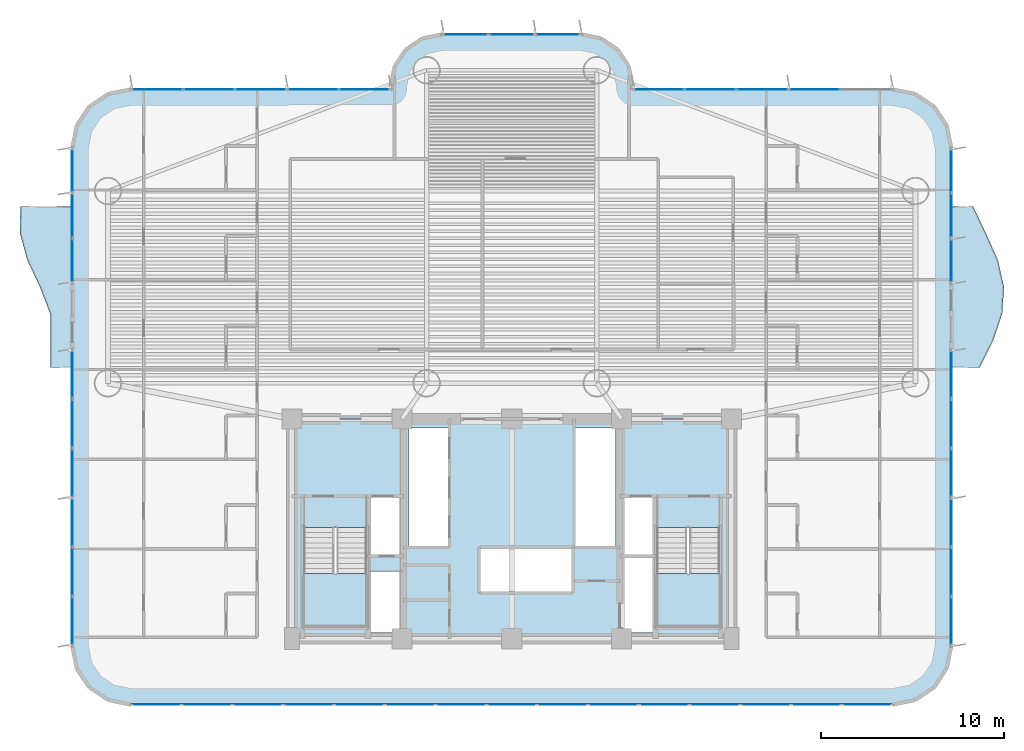
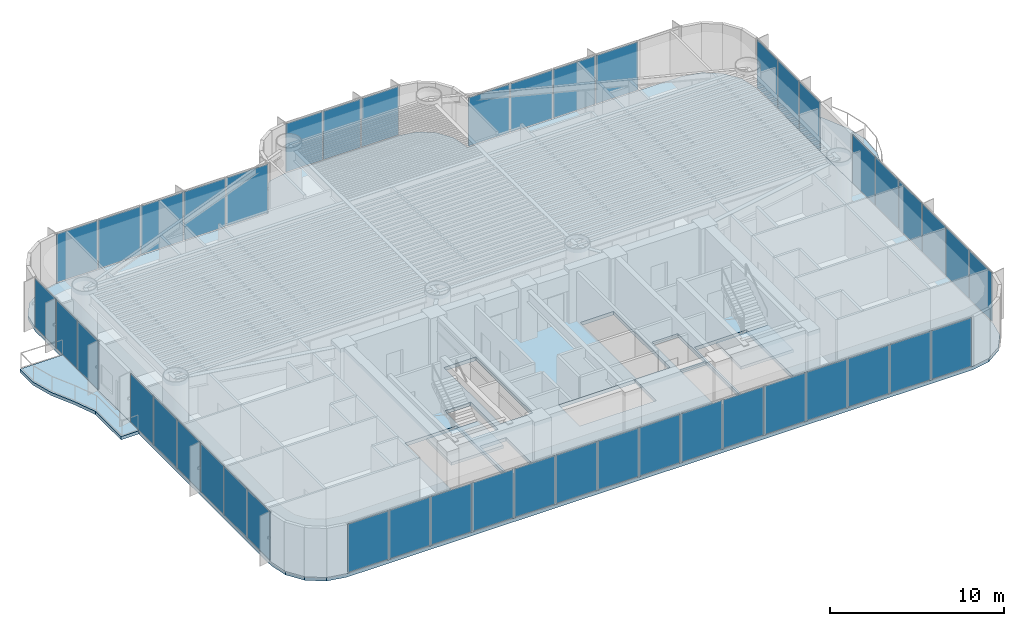
# One storey, part 9 of 19: 45 plates, 5 slabs, 10 elements without a shape of their own.
"""IFC4 building model written with IfcOpenShell, lengths in metres."""

from ifc_helpers import new_model, si_unit, direction, frame, origin, origin_2d, place, context, subcontext, project, spatial, polyline, rectangle, outline, extrude, source, transform, mapped, material, layer, layer_set, type_object, element, aggregate, save


model = new_model("IFC4")

# Units and contexts
model_context = context("Model", 3, precision=1e-05, world=origin(), true_north=direction((0.0, 1.0)))
body_context = subcontext(model_context, "Body", "Model", "MODEL_VIEW")
ifc_project = project(units=[si_unit("LENGTHUNIT", "METRE"), si_unit("AREAUNIT", "SQUARE_METRE"), si_unit("VOLUMEUNIT", "CUBIC_METRE"), si_unit("PLANEANGLEUNIT", "RADIAN"), si_unit("MASSUNIT", "GRAM", prefix="KILO")], contexts=[model_context])

# Site, building, storey
site_placement = place(None, origin())
site = spatial("IfcSite", under=ifc_project, at=site_placement, CompositionType="ELEMENT")
building_placement = place(site_placement, origin())
building = spatial("IfcBuilding", under=site, at=building_placement, Name="Brelvock Crest Care Tower", CompositionType="ELEMENT")
storey_placement = place(building_placement, frame((0.0, 0.0, 64.800048828125)))
storey = spatial("IfcBuildingStorey", under=building, at=storey_placement, Name="L16", CompositionType="ELEMENT", Elevation=64.800048828125)

# Slabs
ifc_material_1 = material(Name="Concrete N50 (50 MPa)", Category="concrete")
ifc_layer_1 = layer(ifc_material_1, 0.25, Name="SLB-FL3")
ifc_layer_set_1 = layer_set([ifc_layer_1], Name="Concrete N50 (50 MPa)")
slab_type_1 = type_object("IfcSlabType", Name="SLB-FL3", PredefinedType="FLOOR", material=ifc_layer_set_1)
slab_1_placement = place(storey_placement, frame((0.0, 0.0, -0.25)))
element("IfcSlab", 1, at=slab_1_placement, inside=storey, type_object=slab_type_1, Name="L16 Main Structural Slab", PredefinedType="FLOOR", context=body_context, shape_type="SweptSolid", body=[
    extrude(outline(polyline([(56.800048828125, 36.0), (42.60009765625, 36.0), (42.60009765625, 36.199951171875), (42.386962890625, 37.271484375), (41.77978515625, 38.179931640625), (40.87158203125, 38.786865234375), (39.800048828125, 39.0), (32.199951171875, 39.0), (31.12841796875, 38.786865234375), (30.22021484375, 38.179931640625), (29.613037109375, 37.271484375), (29.39990234375, 36.199951171875), (29.39990234375, 36.0), (15.199951171875, 36.0), (13.975341796875, 35.75634765625), (12.937255859375, 35.062744140625), (12.24365234375, 34.024658203125), (12.0, 32.800048828125), (12.0, 5.60009765625), (12.24365234375, 4.37548828125), (12.937255859375, 3.33740234375), (13.975341796875, 2.6435546875), (15.199951171875, 2.39990234375), (56.800048828125, 2.39990234375), (58.024658203125, 2.6435546875), (59.062744140625, 3.33740234375), (59.75634765625, 4.37548828125), (60.0, 5.60009765625), (60.0, 32.800048828125), (59.75634765625, 34.024658203125), (59.062744140625, 35.062744140625), (58.024658203125, 35.75634765625), (56.800048828125, 36.0)]), holes=[polyline([(28.239990234375, 10.580078125), (29.97998046875, 10.580078125), (29.97998046875, 13.739990234375), (28.239990234375, 13.739990234375), (28.239990234375, 10.580078125)]), polyline([(42.02001953125, 10.580078125), (43.760009765625, 10.580078125), (43.760009765625, 13.739990234375), (42.02001953125, 13.739990234375), (42.02001953125, 10.580078125)]), polyline([(28.239990234375, 6.340087890625), (29.97998046875, 6.340087890625), (29.97998046875, 9.64990234375), (28.239990234375, 9.64990234375), (28.239990234375, 6.340087890625)]), polyline([(24.6298828125, 12.080078125), (24.6298828125, 6.699951171875), (28.110107421875, 6.699951171875), (28.110107421875, 12.080078125), (24.6298828125, 12.080078125)]), polyline([(43.889892578125, 12.080078125), (43.889892578125, 6.699951171875), (47.3701171875, 6.699951171875), (47.3701171875, 12.080078125), (43.889892578125, 12.080078125)]), polyline([(42.02001953125, 6.340087890625), (43.760009765625, 6.340087890625), (43.760009765625, 10.5), (42.02001953125, 10.5), (42.02001953125, 6.340087890625)]), polyline([(30.3798828125, 11.030029296875), (32.52001953125, 11.030029296875), (32.52001953125, 17.52001953125), (30.3798828125, 17.52001953125), (30.3798828125, 11.030029296875)]), polyline([(34.22998046875, 8.530029296875), (39.320068359375, 8.530029296875), (39.320068359375, 10.969970703125), (34.22998046875, 10.969970703125), (34.22998046875, 8.530029296875)]), polyline([(39.429931640625, 11.030029296875), (41.669921875, 11.030029296875), (41.669921875, 17.52001953125), (39.429931640625, 17.52001953125), (39.429931640625, 11.030029296875)])]), origin(), (0.0, 0.0, 1.0), 0.25),
])
ifc_layer_2 = layer(ifc_material_1, 0.219970703125, Name="SLB-WB1")
ifc_layer_set_2 = layer_set([ifc_layer_2], Name="Concrete N50 (50 MPa)")
slab_type_2 = type_object("IfcSlabType", Name="SLB-WB1", PredefinedType="FLOOR", material=ifc_layer_set_2)
slab_2_placement = place(storey_placement, frame((0.0, 0.0, -0.219970703125)))
element("IfcSlab", 2, at=slab_2_placement, inside=storey, type_object=slab_type_2, Name="L16 W Sinusoidal Wave Balcony Slab", PredefinedType="FLOOR", context=body_context, shape_type="SweptSolid", body=[
    extrude(outline(polyline([(12.0, 29.60009765625), (9.166015625, 29.60009765625), (9.14599609375, 28.13330078125), (9.546630859375, 26.666748046875), (10.23876953125, 25.199951171875), (10.800048828125, 23.7333984375), (10.800048828125, 22.2666015625), (10.800048828125, 20.800048828125), (12.0, 20.800048828125), (12.0, 29.60009765625)])), origin(), (0.0, 0.0, 1.0), 0.219970703125),
])
slab_3_placement = place(storey_placement, frame((0.0, 0.0, -0.219970703125)))
element("IfcSlab", 3, at=slab_3_placement, inside=storey, type_object=slab_type_2, Name="L16 E Sinusoidal Wave Balcony Slab", PredefinedType="FLOOR", context=body_context, shape_type="SweptSolid", body=[
    extrude(outline(polyline([(60.0, 20.800048828125), (61.550048828125, 20.800048828125), (62.285400390625, 22.2666015625), (62.783203125, 23.7333984375), (62.88330078125, 25.199951171875), (62.55322265625, 26.666748046875), (61.8994140625, 28.13330078125), (61.199951171875, 29.60009765625), (60.0, 29.60009765625), (60.0, 20.800048828125)])), origin(), (0.0, 0.0, 1.0), 0.219970703125),
])

# Stair, slab
ifc_material_2 = material(Name="Concrete N40 (40 MPa)", Category="concrete")
stair_type = type_object("IfcStairType", Name="ST-CORE1", PredefinedType="HALF_TURN_STAIR", material=ifc_material_2)
stair_1_placement = place(storey_placement, origin())
stair_1 = element("IfcStair", 4, at=stair_1_placement, inside=storey, type_object=stair_type, Name="L16 Fire-Isolated Core Stair ST-1", PredefinedType="HALF_TURN_STAIR")
ifc_layer_3 = layer(ifc_material_2, 0.199951171875, Name="STL-1")
ifc_layer_set_3 = layer_set([ifc_layer_3], Name="Concrete N40 (40 MPa)")
slab_type_3 = type_object("IfcSlabType", Name="STL-1", PredefinedType="LANDING", material=ifc_layer_set_3)
slab_4_placement = place(storey_placement, frame((0.0, 0.0, 1.68994140625)))
slab_4 = element("IfcSlab", 5, at=slab_4_placement, type_object=slab_type_3, Name="ST-1 landing 1", PredefinedType="LANDING", context=body_context, shape_type="SweptSolid", body=[
    extrude(outline(polyline([(24.6298828125, 9.56005859375), (24.6298828125, 6.699951171875), (28.110107421875, 6.699951171875), (28.110107421875, 9.56005859375), (24.6298828125, 9.56005859375)])), origin(), (0.0, 0.0, 1.0), 0.199951171875),
])
aggregate(stair_1, [slab_4])

stair_2_placement = place(storey_placement, origin())
stair_2 = element("IfcStair", 6, at=stair_2_placement, inside=storey, type_object=stair_type, Name="L16 Fire-Isolated Core Stair ST-2", PredefinedType="HALF_TURN_STAIR")
slab_5_placement = place(storey_placement, frame((0.0, 0.0, 1.68994140625)))
slab_5 = element("IfcSlab", 7, at=slab_5_placement, type_object=slab_type_3, Name="ST-2 landing 1", PredefinedType="LANDING", context=body_context, shape_type="SweptSolid", body=[
    extrude(outline(polyline([(43.889892578125, 9.56005859375), (43.889892578125, 6.699951171875), (47.3701171875, 6.699951171875), (47.3701171875, 9.56005859375), (43.889892578125, 9.56005859375)])), origin(), (0.0, 0.0, 1.0), 0.199951171875),
])
aggregate(stair_2, [slab_5])

# Curtain wall, plates
ifc_material_3 = material(Name="Dark Glass Double Glazed Low-E", Category="glass")
ifc_layer_4 = layer(ifc_material_3, 0.195068359375, Name="CWS-2")
ifc_layer_set_4 = layer_set([ifc_layer_4], Name="Dark Glass Double Glazed Low-E")
curtain_wall_type = type_object("IfcCurtainWallType", Name="CWS-2", PredefinedType="NOTDEFINED", material=ifc_layer_set_4)
curtain_wall_1_placement = place(storey_placement, origin())
curtain_wall_1 = element("IfcCurtainWall", 8, at=curtain_wall_1_placement, inside=storey, type_object=curtain_wall_type, Name="L16 Curtain Wall E08", PredefinedType="NOTDEFINED")
ifc_layer_5 = layer(ifc_material_3, 0.031982421875, Name="CWP-V1")
ifc_layer_set_5 = layer_set([ifc_layer_5], Name="Dark Glass Double Glazed Low-E")
plate_type = type_object("IfcPlateType", Name="CWP-V1", PredefinedType="CURTAIN_PANEL", material=ifc_layer_set_5)
shared_shape_1 = source(origin(), body_context, "Body", "SweptSolid", [
    extrude(rectangle(XDim=2.67578125, YDim=0.035888671875, at=origin_2d()), origin(), (0.0, 0.0, 1.0), 3.39990234375),
])
plate_1_placement = place(storey_placement, frame((55.39697265625, 2.39990234375, 0.06494140625), z_axis=(0.0, 0.0, 1.0), x_axis=(-1.0, 0.0, 0.0)))
plate_1 = element("IfcPlate", 9, at=plate_1_placement, type_object=plate_type, Name="CW-2 panel 1.1", PredefinedType="CURTAIN_PANEL", context=body_context, shape_type="MappedRepresentation", body=[
    mapped(shared_shape_1, transform((0.0, 0.0, 0.0), x_axis=(1.0, 0.0, 0.0), y_axis=(0.0, 1.0, 0.0), z_axis=(0.0, 0.0, 1.0), scale=1.0)),
])
plate_2_placement = place(storey_placement, frame((16.60302734375, 2.39990234375, 0.06494140625), z_axis=(0.0, 0.0, 1.0), x_axis=(-1.0, 0.0, 0.0)))
plate_2 = element("IfcPlate", 10, at=plate_2_placement, type_object=plate_type, Name="CW-2 panel 15.1", PredefinedType="CURTAIN_PANEL", context=body_context, shape_type="MappedRepresentation", body=[
    mapped(shared_shape_1, transform((0.0, 0.0, 0.0), x_axis=(1.0, 0.0, 0.0), y_axis=(0.0, 1.0, 0.0), z_axis=(0.0, 0.0, 1.0), scale=1.0)),
])
shared_shape_2 = source(origin(), body_context, "Body", "SweptSolid", [
    extrude(rectangle(XDim=2.708251953125, YDim=0.035888671875, at=origin_2d()), origin(), (0.0, 0.0, 1.0), 3.39990234375),
])
plate_3_placement = place(storey_placement, frame((52.639892578125, 2.39990234375, 0.06494140625), z_axis=(0.0, 0.0, 1.0), x_axis=(-1.0, 0.0, 0.0)))
plate_3 = element("IfcPlate", 11, at=plate_3_placement, type_object=plate_type, Name="CW-2 panel 2.1", PredefinedType="CURTAIN_PANEL", context=body_context, shape_type="MappedRepresentation", body=[
    mapped(shared_shape_2, transform((0.0, 0.0, 0.0), x_axis=(1.0, 0.0, 0.0), y_axis=(0.0, 1.0, 0.0), z_axis=(0.0, 0.0, 1.0), scale=1.0)),
])
plate_4_placement = place(storey_placement, frame((49.86669921875, 2.39990234375, 0.06494140625), z_axis=(0.0, 0.0, 1.0), x_axis=(-1.0, 0.0, 0.0)))
plate_4 = element("IfcPlate", 12, at=plate_4_placement, type_object=plate_type, Name="CW-2 panel 3.1", PredefinedType="CURTAIN_PANEL", context=body_context, shape_type="MappedRepresentation", body=[
    mapped(shared_shape_2, transform((0.0, 0.0, 0.0), x_axis=(1.0, 0.0, 0.0), y_axis=(0.0, 1.0, 0.0), z_axis=(0.0, 0.0, 1.0), scale=1.0)),
])
plate_5_placement = place(storey_placement, frame((47.09326171875, 2.39990234375, 0.06494140625), z_axis=(0.0, 0.0, 1.0), x_axis=(-1.0, 0.0, 0.0)))
plate_5 = element("IfcPlate", 13, at=plate_5_placement, type_object=plate_type, Name="CW-2 panel 4.1", PredefinedType="CURTAIN_PANEL", context=body_context, shape_type="MappedRepresentation", body=[
    mapped(shared_shape_2, transform((0.0, 0.0, 0.0), x_axis=(1.0, 0.0, 0.0), y_axis=(0.0, 1.0, 0.0), z_axis=(0.0, 0.0, 1.0), scale=1.0)),
])
plate_6_placement = place(storey_placement, frame((44.320068359375, 2.39990234375, 0.06494140625), z_axis=(0.0, 0.0, 1.0), x_axis=(-1.0, 0.0, 0.0)))
plate_6 = element("IfcPlate", 14, at=plate_6_placement, type_object=plate_type, Name="CW-2 panel 5.1", PredefinedType="CURTAIN_PANEL", context=body_context, shape_type="MappedRepresentation", body=[
    mapped(shared_shape_2, transform((0.0, 0.0, 0.0), x_axis=(1.0, 0.0, 0.0), y_axis=(0.0, 1.0, 0.0), z_axis=(0.0, 0.0, 1.0), scale=1.0)),
])
plate_7_placement = place(storey_placement, frame((41.546630859375, 2.39990234375, 0.06494140625), z_axis=(0.0, 0.0, 1.0), x_axis=(-1.0, 0.0, 0.0)))
plate_7 = element("IfcPlate", 15, at=plate_7_placement, type_object=plate_type, Name="CW-2 panel 6.1", PredefinedType="CURTAIN_PANEL", context=body_context, shape_type="MappedRepresentation", body=[
    mapped(shared_shape_2, transform((0.0, 0.0, 0.0), x_axis=(1.0, 0.0, 0.0), y_axis=(0.0, 1.0, 0.0), z_axis=(0.0, 0.0, 1.0), scale=1.0)),
])
plate_8_placement = place(storey_placement, frame((38.7734375, 2.39990234375, 0.06494140625), z_axis=(0.0, 0.0, 1.0), x_axis=(-1.0, 0.0, 0.0)))
plate_8 = element("IfcPlate", 16, at=plate_8_placement, type_object=plate_type, Name="CW-2 panel 7.1", PredefinedType="CURTAIN_PANEL", context=body_context, shape_type="MappedRepresentation", body=[
    mapped(shared_shape_2, transform((0.0, 0.0, 0.0), x_axis=(1.0, 0.0, 0.0), y_axis=(0.0, 1.0, 0.0), z_axis=(0.0, 0.0, 1.0), scale=1.0)),
])
plate_9_placement = place(storey_placement, frame((36.0, 2.39990234375, 0.06494140625), z_axis=(0.0, 0.0, 1.0), x_axis=(-1.0, 0.0, 0.0)))
plate_9 = element("IfcPlate", 17, at=plate_9_placement, type_object=plate_type, Name="CW-2 panel 8.1", PredefinedType="CURTAIN_PANEL", context=body_context, shape_type="MappedRepresentation", body=[
    mapped(shared_shape_2, transform((0.0, 0.0, 0.0), x_axis=(1.0, 0.0, 0.0), y_axis=(0.0, 1.0, 0.0), z_axis=(0.0, 0.0, 1.0), scale=1.0)),
])
plate_10_placement = place(storey_placement, frame((33.2265625, 2.39990234375, 0.06494140625), z_axis=(0.0, 0.0, 1.0), x_axis=(-1.0, 0.0, 0.0)))
plate_10 = element("IfcPlate", 18, at=plate_10_placement, type_object=plate_type, Name="CW-2 panel 9.1", PredefinedType="CURTAIN_PANEL", context=body_context, shape_type="MappedRepresentation", body=[
    mapped(shared_shape_2, transform((0.0, 0.0, 0.0), x_axis=(1.0, 0.0, 0.0), y_axis=(0.0, 1.0, 0.0), z_axis=(0.0, 0.0, 1.0), scale=1.0)),
])
plate_11_placement = place(storey_placement, frame((30.453369140625, 2.39990234375, 0.06494140625), z_axis=(0.0, 0.0, 1.0), x_axis=(-1.0, 0.0, 0.0)))
plate_11 = element("IfcPlate", 19, at=plate_11_placement, type_object=plate_type, Name="CW-2 panel 10.1", PredefinedType="CURTAIN_PANEL", context=body_context, shape_type="MappedRepresentation", body=[
    mapped(shared_shape_2, transform((0.0, 0.0, 0.0), x_axis=(1.0, 0.0, 0.0), y_axis=(0.0, 1.0, 0.0), z_axis=(0.0, 0.0, 1.0), scale=1.0)),
])
plate_12_placement = place(storey_placement, frame((27.679931640625, 2.39990234375, 0.06494140625), z_axis=(0.0, 0.0, 1.0), x_axis=(-1.0, 0.0, 0.0)))
plate_12 = element("IfcPlate", 20, at=plate_12_placement, type_object=plate_type, Name="CW-2 panel 11.1", PredefinedType="CURTAIN_PANEL", context=body_context, shape_type="MappedRepresentation", body=[
    mapped(shared_shape_2, transform((0.0, 0.0, 0.0), x_axis=(1.0, 0.0, 0.0), y_axis=(0.0, 1.0, 0.0), z_axis=(0.0, 0.0, 1.0), scale=1.0)),
])
plate_13_placement = place(storey_placement, frame((24.90673828125, 2.39990234375, 0.06494140625), z_axis=(0.0, 0.0, 1.0), x_axis=(-1.0, 0.0, 0.0)))
plate_13 = element("IfcPlate", 21, at=plate_13_placement, type_object=plate_type, Name="CW-2 panel 12.1", PredefinedType="CURTAIN_PANEL", context=body_context, shape_type="MappedRepresentation", body=[
    mapped(shared_shape_2, transform((0.0, 0.0, 0.0), x_axis=(1.0, 0.0, 0.0), y_axis=(0.0, 1.0, 0.0), z_axis=(0.0, 0.0, 1.0), scale=1.0)),
])
plate_14_placement = place(storey_placement, frame((22.13330078125, 2.39990234375, 0.06494140625), z_axis=(0.0, 0.0, 1.0), x_axis=(-1.0, 0.0, 0.0)))
plate_14 = element("IfcPlate", 22, at=plate_14_placement, type_object=plate_type, Name="CW-2 panel 13.1", PredefinedType="CURTAIN_PANEL", context=body_context, shape_type="MappedRepresentation", body=[
    mapped(shared_shape_2, transform((0.0, 0.0, 0.0), x_axis=(1.0, 0.0, 0.0), y_axis=(0.0, 1.0, 0.0), z_axis=(0.0, 0.0, 1.0), scale=1.0)),
])
plate_15_placement = place(storey_placement, frame((19.360107421875, 2.39990234375, 0.06494140625), z_axis=(0.0, 0.0, 1.0), x_axis=(-1.0, 0.0, 0.0)))
plate_15 = element("IfcPlate", 23, at=plate_15_placement, type_object=plate_type, Name="CW-2 panel 14.1", PredefinedType="CURTAIN_PANEL", context=body_context, shape_type="MappedRepresentation", body=[
    mapped(shared_shape_2, transform((0.0, 0.0, 0.0), x_axis=(1.0, 0.0, 0.0), y_axis=(0.0, 1.0, 0.0), z_axis=(0.0, 0.0, 1.0), scale=1.0)),
])
aggregate(curtain_wall_1, [plate_1, plate_3, plate_4, plate_5, plate_6, plate_7, plate_8, plate_9, plate_10, plate_11, plate_12, plate_13, plate_14, plate_15, plate_2])

curtain_wall_2_placement = place(storey_placement, origin())
curtain_wall_2 = element("IfcCurtainWall", 24, at=curtain_wall_2_placement, inside=storey, type_object=curtain_wall_type, Name="L16 Curtain Wall E18", PredefinedType="NOTDEFINED")
shared_shape_3 = source(origin(), body_context, "Body", "SweptSolid", [
    extrude(rectangle(XDim=2.742431640625, YDim=0.035888671875, at=origin_2d()), origin(), (0.0, 0.0, 1.0), 3.39990234375),
])
plate_16_placement = place(storey_placement, frame((16.63623046875, 36.0, 0.06494140625), z_axis=(0.0, 0.0, 1.0), x_axis=(1.0, 0.0, 0.0)))
plate_16 = element("IfcPlate", 25, at=plate_16_placement, type_object=plate_type, Name="CW-2 panel 1.1", PredefinedType="CURTAIN_PANEL", context=body_context, shape_type="MappedRepresentation", body=[
    mapped(shared_shape_3, transform((0.0, 0.0, 0.0), x_axis=(1.0, 0.0, 0.0), y_axis=(0.0, 1.0, 0.0), z_axis=(0.0, 0.0, 1.0), scale=1.0)),
])
plate_17_placement = place(storey_placement, frame((27.9638671875, 36.0, 0.06494140625), z_axis=(0.0, 0.0, 1.0), x_axis=(1.0, 0.0, 0.0)))
plate_17 = element("IfcPlate", 26, at=plate_17_placement, type_object=plate_type, Name="CW-2 panel 5.1", PredefinedType="CURTAIN_PANEL", context=body_context, shape_type="MappedRepresentation", body=[
    mapped(shared_shape_3, transform((0.0, 0.0, 0.0), x_axis=(1.0, 0.0, 0.0), y_axis=(0.0, 1.0, 0.0), z_axis=(0.0, 0.0, 1.0), scale=1.0)),
])

# Curtain wall, plate
curtain_wall_3_placement = place(storey_placement, origin())
curtain_wall_3 = element("IfcCurtainWall", 27, at=curtain_wall_3_placement, inside=storey, type_object=curtain_wall_type, Name="L16 Curtain Wall E30", PredefinedType="NOTDEFINED")
plate_18_placement = place(storey_placement, frame((44.0361328125, 36.0, 0.06494140625), z_axis=(0.0, 0.0, 1.0), x_axis=(1.0, 0.0, 0.0)))
plate_18 = element("IfcPlate", 28, at=plate_18_placement, type_object=plate_type, Name="CW-2 panel 1.1", PredefinedType="CURTAIN_PANEL", context=body_context, shape_type="MappedRepresentation", body=[
    mapped(shared_shape_3, transform((0.0, 0.0, 0.0), x_axis=(1.0, 0.0, 0.0), y_axis=(0.0, 1.0, 0.0), z_axis=(0.0, 0.0, 1.0), scale=1.0)),
])

# Plate
shared_shape_4 = source(origin(), body_context, "Body", "SweptSolid", [
    extrude(rectangle(XDim=2.77490234375, YDim=0.035888671875, at=origin_2d()), origin(), (0.0, 0.0, 1.0), 3.39990234375),
])
plate_19_placement = place(storey_placement, frame((19.4599609375, 36.0, 0.06494140625), z_axis=(0.0, 0.0, 1.0), x_axis=(1.0, 0.0, 0.0)))
plate_19 = element("IfcPlate", 29, at=plate_19_placement, type_object=plate_type, Name="CW-2 panel 2.1", PredefinedType="CURTAIN_PANEL", context=body_context, shape_type="MappedRepresentation", body=[
    mapped(shared_shape_4, transform((0.0, 0.0, 0.0), x_axis=(1.0, 0.0, 0.0), y_axis=(0.0, 1.0, 0.0), z_axis=(0.0, 0.0, 1.0), scale=1.0)),
])

plate_20_placement = place(storey_placement, frame((22.300048828125, 36.0, 0.06494140625), z_axis=(0.0, 0.0, 1.0), x_axis=(1.0, 0.0, 0.0)))
plate_20 = element("IfcPlate", 30, at=plate_20_placement, type_object=plate_type, Name="CW-2 panel 3.1", PredefinedType="CURTAIN_PANEL", context=body_context, shape_type="MappedRepresentation", body=[
    mapped(shared_shape_4, transform((0.0, 0.0, 0.0), x_axis=(1.0, 0.0, 0.0), y_axis=(0.0, 1.0, 0.0), z_axis=(0.0, 0.0, 1.0), scale=1.0)),
])

plate_21_placement = place(storey_placement, frame((25.139892578125, 36.0, 0.06494140625), z_axis=(0.0, 0.0, 1.0), x_axis=(1.0, 0.0, 0.0)))
plate_21 = element("IfcPlate", 31, at=plate_21_placement, type_object=plate_type, Name="CW-2 panel 4.1", PredefinedType="CURTAIN_PANEL", context=body_context, shape_type="MappedRepresentation", body=[
    mapped(shared_shape_4, transform((0.0, 0.0, 0.0), x_axis=(1.0, 0.0, 0.0), y_axis=(0.0, 1.0, 0.0), z_axis=(0.0, 0.0, 1.0), scale=1.0)),
])

aggregate(curtain_wall_2, [plate_16, plate_19, plate_20, plate_21, plate_17])

plate_22_placement = place(storey_placement, frame((46.860107421875, 36.0, 0.06494140625), z_axis=(0.0, 0.0, 1.0), x_axis=(1.0, 0.0, 0.0)))
plate_22 = element("IfcPlate", 32, at=plate_22_placement, type_object=plate_type, Name="CW-2 panel 2.1", PredefinedType="CURTAIN_PANEL", context=body_context, shape_type="MappedRepresentation", body=[
    mapped(shared_shape_4, transform((0.0, 0.0, 0.0), x_axis=(1.0, 0.0, 0.0), y_axis=(0.0, 1.0, 0.0), z_axis=(0.0, 0.0, 1.0), scale=1.0)),
])

plate_23_placement = place(storey_placement, frame((49.699951171875, 36.0, 0.06494140625), z_axis=(0.0, 0.0, 1.0), x_axis=(1.0, 0.0, 0.0)))
plate_23 = element("IfcPlate", 33, at=plate_23_placement, type_object=plate_type, Name="CW-2 panel 3.1", PredefinedType="CURTAIN_PANEL", context=body_context, shape_type="MappedRepresentation", body=[
    mapped(shared_shape_4, transform((0.0, 0.0, 0.0), x_axis=(1.0, 0.0, 0.0), y_axis=(0.0, 1.0, 0.0), z_axis=(0.0, 0.0, 1.0), scale=1.0)),
])

plate_24_placement = place(storey_placement, frame((52.5400390625, 36.0, 0.06494140625), z_axis=(0.0, 0.0, 1.0), x_axis=(1.0, 0.0, 0.0)))
plate_24 = element("IfcPlate", 34, at=plate_24_placement, type_object=plate_type, Name="CW-2 panel 4.1", PredefinedType="CURTAIN_PANEL", context=body_context, shape_type="MappedRepresentation", body=[
    mapped(shared_shape_4, transform((0.0, 0.0, 0.0), x_axis=(1.0, 0.0, 0.0), y_axis=(0.0, 1.0, 0.0), z_axis=(0.0, 0.0, 1.0), scale=1.0)),
])

aggregate(curtain_wall_3, [plate_18, plate_22, plate_23, plate_24])

# Curtain wall, plates
curtain_wall_4_placement = place(storey_placement, origin())
curtain_wall_4 = element("IfcCurtainWall", 35, at=curtain_wall_4_placement, inside=storey, type_object=curtain_wall_type, Name="L16 Curtain Wall E24", PredefinedType="NOTDEFINED")
shared_shape_5 = source(origin(), body_context, "Body", "SweptSolid", [
    extrude(rectangle(XDim=2.435791015625, YDim=0.035888671875, at=origin_2d()), origin(), (0.0, 0.0, 1.0), 3.39990234375),
])
plate_25_placement = place(storey_placement, frame((33.48291015625, 39.0, 0.06494140625), z_axis=(0.0, 0.0, 1.0), x_axis=(1.0, 0.0, 0.0)))
plate_25 = element("IfcPlate", 36, at=plate_25_placement, type_object=plate_type, Name="CW-2 panel 1.1", PredefinedType="CURTAIN_PANEL", context=body_context, shape_type="MappedRepresentation", body=[
    mapped(shared_shape_5, transform((0.0, 0.0, 0.0), x_axis=(1.0, 0.0, 0.0), y_axis=(0.0, 1.0, 0.0), z_axis=(0.0, 0.0, 1.0), scale=1.0)),
])
plate_26_placement = place(storey_placement, frame((38.51708984375, 39.0, 0.06494140625), z_axis=(0.0, 0.0, 1.0), x_axis=(1.0, 0.0, 0.0)))
plate_26 = element("IfcPlate", 37, at=plate_26_placement, type_object=plate_type, Name="CW-2 panel 3.1", PredefinedType="CURTAIN_PANEL", context=body_context, shape_type="MappedRepresentation", body=[
    mapped(shared_shape_5, transform((0.0, 0.0, 0.0), x_axis=(1.0, 0.0, 0.0), y_axis=(0.0, 1.0, 0.0), z_axis=(0.0, 0.0, 1.0), scale=1.0)),
])
shared_shape_6 = source(origin(), body_context, "Body", "SweptSolid", [
    extrude(rectangle(XDim=2.46826171875, YDim=0.035888671875, at=origin_2d()), origin(), (0.0, 0.0, 1.0), 3.39990234375),
])
plate_27_placement = place(storey_placement, frame((36.0, 39.0, 0.06494140625), z_axis=(0.0, 0.0, 1.0), x_axis=(1.0, 0.0, 0.0)))
plate_27 = element("IfcPlate", 38, at=plate_27_placement, type_object=plate_type, Name="CW-2 panel 2.1", PredefinedType="CURTAIN_PANEL", context=body_context, shape_type="MappedRepresentation", body=[
    mapped(shared_shape_6, transform((0.0, 0.0, 0.0), x_axis=(1.0, 0.0, 0.0), y_axis=(0.0, 1.0, 0.0), z_axis=(0.0, 0.0, 1.0), scale=1.0)),
])
aggregate(curtain_wall_4, [plate_25, plate_27, plate_26])

curtain_wall_5_placement = place(storey_placement, origin())
curtain_wall_5 = element("IfcCurtainWall", 39, at=curtain_wall_5_placement, inside=storey, type_object=curtain_wall_type, Name="L16 Curtain Wall E03B", PredefinedType="NOTDEFINED")
shared_shape_7 = source(origin(), body_context, "Body", "SweptSolid", [
    extrude(rectangle(XDim=2.6025390625, YDim=0.035888671875, at=origin_2d()), origin(), (0.0, 0.0, 1.0), 3.39990234375),
])
plate_28_placement = place(storey_placement, frame((60.0, 20.433837890625, 0.06494140625), z_axis=(0.0, 0.0, 1.0), x_axis=(0.0, -1.0, 0.0)))
plate_28 = element("IfcPlate", 40, at=plate_28_placement, type_object=plate_type, Name="CW-2 panel 1.1", PredefinedType="CURTAIN_PANEL", context=body_context, shape_type="MappedRepresentation", body=[
    mapped(shared_shape_7, transform((0.0, 0.0, 0.0), x_axis=(1.0, 0.0, 0.0), y_axis=(0.0, 1.0, 0.0), z_axis=(0.0, 0.0, 1.0), scale=1.0)),
])
plate_29_placement = place(storey_placement, frame((60.0, 6.96630859375, 0.06494140625), z_axis=(0.0, 0.0, 1.0), x_axis=(0.0, -1.0, 0.0)))
plate_29 = element("IfcPlate", 41, at=plate_29_placement, type_object=plate_type, Name="CW-2 panel 6.1", PredefinedType="CURTAIN_PANEL", context=body_context, shape_type="MappedRepresentation", body=[
    mapped(shared_shape_7, transform((0.0, 0.0, 0.0), x_axis=(1.0, 0.0, 0.0), y_axis=(0.0, 1.0, 0.0), z_axis=(0.0, 0.0, 1.0), scale=1.0)),
])

curtain_wall_6_placement = place(storey_placement, origin())
curtain_wall_6 = element("IfcCurtainWall", 42, at=curtain_wall_6_placement, inside=storey, type_object=curtain_wall_type, Name="L16 Curtain Wall E13A", PredefinedType="NOTDEFINED")
plate_30_placement = place(storey_placement, frame((12.0, 6.96630859375, 0.06494140625), z_axis=(0.0, 0.0, 1.0), x_axis=(0.0, 1.0, 0.0)))
plate_30 = element("IfcPlate", 43, at=plate_30_placement, type_object=plate_type, Name="CW-2 panel 1.1", PredefinedType="CURTAIN_PANEL", context=body_context, shape_type="MappedRepresentation", body=[
    mapped(shared_shape_7, transform((0.0, 0.0, 0.0), x_axis=(1.0, 0.0, 0.0), y_axis=(0.0, 1.0, 0.0), z_axis=(0.0, 0.0, 1.0), scale=1.0)),
])
plate_31_placement = place(storey_placement, frame((12.0, 20.433837890625, 0.06494140625), z_axis=(0.0, 0.0, 1.0), x_axis=(0.0, 1.0, 0.0)))
plate_31 = element("IfcPlate", 44, at=plate_31_placement, type_object=plate_type, Name="CW-2 panel 6.1", PredefinedType="CURTAIN_PANEL", context=body_context, shape_type="MappedRepresentation", body=[
    mapped(shared_shape_7, transform((0.0, 0.0, 0.0), x_axis=(1.0, 0.0, 0.0), y_axis=(0.0, 1.0, 0.0), z_axis=(0.0, 0.0, 1.0), scale=1.0)),
])

# Plate
shared_shape_8 = source(origin(), body_context, "Body", "SweptSolid", [
    extrude(rectangle(XDim=2.635009765625, YDim=0.035888671875, at=origin_2d()), origin(), (0.0, 0.0, 1.0), 3.39990234375),
])
plate_32_placement = place(storey_placement, frame((60.0, 17.75, 0.06494140625), z_axis=(0.0, 0.0, 1.0), x_axis=(0.0, -1.0, 0.0)))
plate_32 = element("IfcPlate", 45, at=plate_32_placement, type_object=plate_type, Name="CW-2 panel 2.1", PredefinedType="CURTAIN_PANEL", context=body_context, shape_type="MappedRepresentation", body=[
    mapped(shared_shape_8, transform((0.0, 0.0, 0.0), x_axis=(1.0, 0.0, 0.0), y_axis=(0.0, 1.0, 0.0), z_axis=(0.0, 0.0, 1.0), scale=1.0)),
])

plate_33_placement = place(storey_placement, frame((60.0, 15.050048828125, 0.06494140625), z_axis=(0.0, 0.0, 1.0), x_axis=(0.0, -1.0, 0.0)))
plate_33 = element("IfcPlate", 46, at=plate_33_placement, type_object=plate_type, Name="CW-2 panel 3.1", PredefinedType="CURTAIN_PANEL", context=body_context, shape_type="MappedRepresentation", body=[
    mapped(shared_shape_8, transform((0.0, 0.0, 0.0), x_axis=(1.0, 0.0, 0.0), y_axis=(0.0, 1.0, 0.0), z_axis=(0.0, 0.0, 1.0), scale=1.0)),
])

plate_34_placement = place(storey_placement, frame((60.0, 12.35009765625, 0.06494140625), z_axis=(0.0, 0.0, 1.0), x_axis=(0.0, -1.0, 0.0)))
plate_34 = element("IfcPlate", 47, at=plate_34_placement, type_object=plate_type, Name="CW-2 panel 4.1", PredefinedType="CURTAIN_PANEL", context=body_context, shape_type="MappedRepresentation", body=[
    mapped(shared_shape_8, transform((0.0, 0.0, 0.0), x_axis=(1.0, 0.0, 0.0), y_axis=(0.0, 1.0, 0.0), z_axis=(0.0, 0.0, 1.0), scale=1.0)),
])

plate_35_placement = place(storey_placement, frame((60.0, 9.64990234375, 0.06494140625), z_axis=(0.0, 0.0, 1.0), x_axis=(0.0, -1.0, 0.0)))
plate_35 = element("IfcPlate", 48, at=plate_35_placement, type_object=plate_type, Name="CW-2 panel 5.1", PredefinedType="CURTAIN_PANEL", context=body_context, shape_type="MappedRepresentation", body=[
    mapped(shared_shape_8, transform((0.0, 0.0, 0.0), x_axis=(1.0, 0.0, 0.0), y_axis=(0.0, 1.0, 0.0), z_axis=(0.0, 0.0, 1.0), scale=1.0)),
])

aggregate(curtain_wall_5, [plate_28, plate_32, plate_33, plate_34, plate_35, plate_29])

plate_36_placement = place(storey_placement, frame((12.0, 9.64990234375, 0.06494140625), z_axis=(0.0, 0.0, 1.0), x_axis=(0.0, 1.0, 0.0)))
plate_36 = element("IfcPlate", 49, at=plate_36_placement, type_object=plate_type, Name="CW-2 panel 2.1", PredefinedType="CURTAIN_PANEL", context=body_context, shape_type="MappedRepresentation", body=[
    mapped(shared_shape_8, transform((0.0, 0.0, 0.0), x_axis=(1.0, 0.0, 0.0), y_axis=(0.0, 1.0, 0.0), z_axis=(0.0, 0.0, 1.0), scale=1.0)),
])

plate_37_placement = place(storey_placement, frame((12.0, 12.35009765625, 0.06494140625), z_axis=(0.0, 0.0, 1.0), x_axis=(0.0, 1.0, 0.0)))
plate_37 = element("IfcPlate", 50, at=plate_37_placement, type_object=plate_type, Name="CW-2 panel 3.1", PredefinedType="CURTAIN_PANEL", context=body_context, shape_type="MappedRepresentation", body=[
    mapped(shared_shape_8, transform((0.0, 0.0, 0.0), x_axis=(1.0, 0.0, 0.0), y_axis=(0.0, 1.0, 0.0), z_axis=(0.0, 0.0, 1.0), scale=1.0)),
])

plate_38_placement = place(storey_placement, frame((12.0, 15.050048828125, 0.06494140625), z_axis=(0.0, 0.0, 1.0), x_axis=(0.0, 1.0, 0.0)))
plate_38 = element("IfcPlate", 51, at=plate_38_placement, type_object=plate_type, Name="CW-2 panel 4.1", PredefinedType="CURTAIN_PANEL", context=body_context, shape_type="MappedRepresentation", body=[
    mapped(shared_shape_8, transform((0.0, 0.0, 0.0), x_axis=(1.0, 0.0, 0.0), y_axis=(0.0, 1.0, 0.0), z_axis=(0.0, 0.0, 1.0), scale=1.0)),
])

plate_39_placement = place(storey_placement, frame((12.0, 17.75, 0.06494140625), z_axis=(0.0, 0.0, 1.0), x_axis=(0.0, 1.0, 0.0)))
plate_39 = element("IfcPlate", 52, at=plate_39_placement, type_object=plate_type, Name="CW-2 panel 5.1", PredefinedType="CURTAIN_PANEL", context=body_context, shape_type="MappedRepresentation", body=[
    mapped(shared_shape_8, transform((0.0, 0.0, 0.0), x_axis=(1.0, 0.0, 0.0), y_axis=(0.0, 1.0, 0.0), z_axis=(0.0, 0.0, 1.0), scale=1.0)),
])

aggregate(curtain_wall_6, [plate_30, plate_36, plate_37, plate_38, plate_39, plate_31])

# Curtain wall, plates
curtain_wall_7_placement = place(storey_placement, origin())
curtain_wall_7 = element("IfcCurtainWall", 53, at=curtain_wall_7_placement, inside=storey, type_object=curtain_wall_type, Name="L16 Curtain Wall E03A", PredefinedType="NOTDEFINED")
shared_shape_9 = source(origin(), body_context, "Body", "SweptSolid", [
    extrude(rectangle(XDim=2.369140625, YDim=0.035888671875, at=origin_2d()), origin(), (0.0, 0.0, 1.0), 3.39990234375),
])
plate_40_placement = place(storey_placement, frame((60.0, 31.550537109375, 0.06494140625), z_axis=(0.0, 0.0, 1.0), x_axis=(0.0, -1.0, 0.0)))
plate_40 = element("IfcPlate", 54, at=plate_40_placement, type_object=plate_type, Name="CW-2 panel 1.1", PredefinedType="CURTAIN_PANEL", context=body_context, shape_type="MappedRepresentation", body=[
    mapped(shared_shape_9, transform((0.0, 0.0, 0.0), x_axis=(1.0, 0.0, 0.0), y_axis=(0.0, 1.0, 0.0), z_axis=(0.0, 0.0, 1.0), scale=1.0)),
])
plate_41_placement = place(storey_placement, frame((60.0, 26.649658203125, 0.06494140625), z_axis=(0.0, 0.0, 1.0), x_axis=(0.0, -1.0, 0.0)))
plate_41 = element("IfcPlate", 55, at=plate_41_placement, type_object=plate_type, Name="CW-2 panel 3.1", PredefinedType="CURTAIN_PANEL", context=body_context, shape_type="MappedRepresentation", body=[
    mapped(shared_shape_9, transform((0.0, 0.0, 0.0), x_axis=(1.0, 0.0, 0.0), y_axis=(0.0, 1.0, 0.0), z_axis=(0.0, 0.0, 1.0), scale=1.0)),
])

curtain_wall_8_placement = place(storey_placement, origin())
curtain_wall_8 = element("IfcCurtainWall", 56, at=curtain_wall_8_placement, inside=storey, type_object=curtain_wall_type, Name="L16 Curtain Wall E13B", PredefinedType="NOTDEFINED")
plate_42_placement = place(storey_placement, frame((12.0, 26.649658203125, 0.06494140625), z_axis=(0.0, 0.0, 1.0), x_axis=(0.0, 1.0, 0.0)))
plate_42 = element("IfcPlate", 57, at=plate_42_placement, type_object=plate_type, Name="CW-2 panel 1.1", PredefinedType="CURTAIN_PANEL", context=body_context, shape_type="MappedRepresentation", body=[
    mapped(shared_shape_9, transform((0.0, 0.0, 0.0), x_axis=(1.0, 0.0, 0.0), y_axis=(0.0, 1.0, 0.0), z_axis=(0.0, 0.0, 1.0), scale=1.0)),
])
plate_43_placement = place(storey_placement, frame((12.0, 31.550537109375, 0.06494140625), z_axis=(0.0, 0.0, 1.0), x_axis=(0.0, 1.0, 0.0)))
plate_43 = element("IfcPlate", 58, at=plate_43_placement, type_object=plate_type, Name="CW-2 panel 3.1", PredefinedType="CURTAIN_PANEL", context=body_context, shape_type="MappedRepresentation", body=[
    mapped(shared_shape_9, transform((0.0, 0.0, 0.0), x_axis=(1.0, 0.0, 0.0), y_axis=(0.0, 1.0, 0.0), z_axis=(0.0, 0.0, 1.0), scale=1.0)),
])

# Plate
shared_shape_10 = source(origin(), body_context, "Body", "SweptSolid", [
    extrude(rectangle(XDim=2.401611328125, YDim=0.035888671875, at=origin_2d()), origin(), (0.0, 0.0, 1.0), 3.39990234375),
])
plate_44_placement = place(storey_placement, frame((60.0, 29.10009765625, 0.06494140625), z_axis=(0.0, 0.0, 1.0), x_axis=(0.0, -1.0, 0.0)))
plate_44 = element("IfcPlate", 59, at=plate_44_placement, type_object=plate_type, Name="CW-2 panel 2.1", PredefinedType="CURTAIN_PANEL", context=body_context, shape_type="MappedRepresentation", body=[
    mapped(shared_shape_10, transform((0.0, 0.0, 0.0), x_axis=(1.0, 0.0, 0.0), y_axis=(0.0, 1.0, 0.0), z_axis=(0.0, 0.0, 1.0), scale=1.0)),
])

aggregate(curtain_wall_7, [plate_40, plate_44, plate_41])

plate_45_placement = place(storey_placement, frame((12.0, 29.10009765625, 0.06494140625), z_axis=(0.0, 0.0, 1.0), x_axis=(0.0, 1.0, 0.0)))
plate_45 = element("IfcPlate", 60, at=plate_45_placement, type_object=plate_type, Name="CW-2 panel 2.1", PredefinedType="CURTAIN_PANEL", context=body_context, shape_type="MappedRepresentation", body=[
    mapped(shared_shape_10, transform((0.0, 0.0, 0.0), x_axis=(1.0, 0.0, 0.0), y_axis=(0.0, 1.0, 0.0), z_axis=(0.0, 0.0, 1.0), scale=1.0)),
])

aggregate(curtain_wall_8, [plate_42, plate_45, plate_43])

save(model, "model.ifc")
